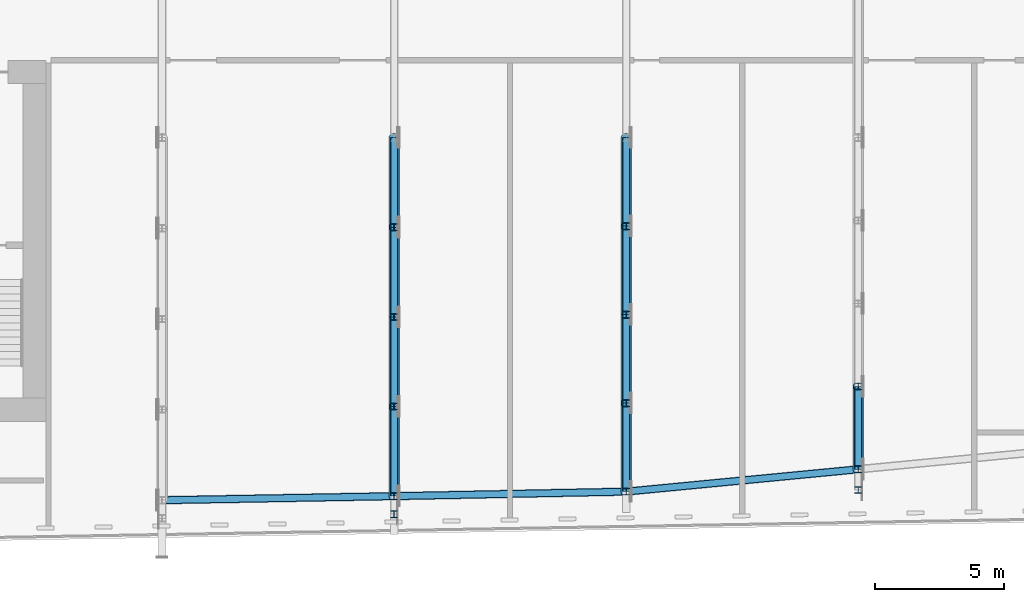
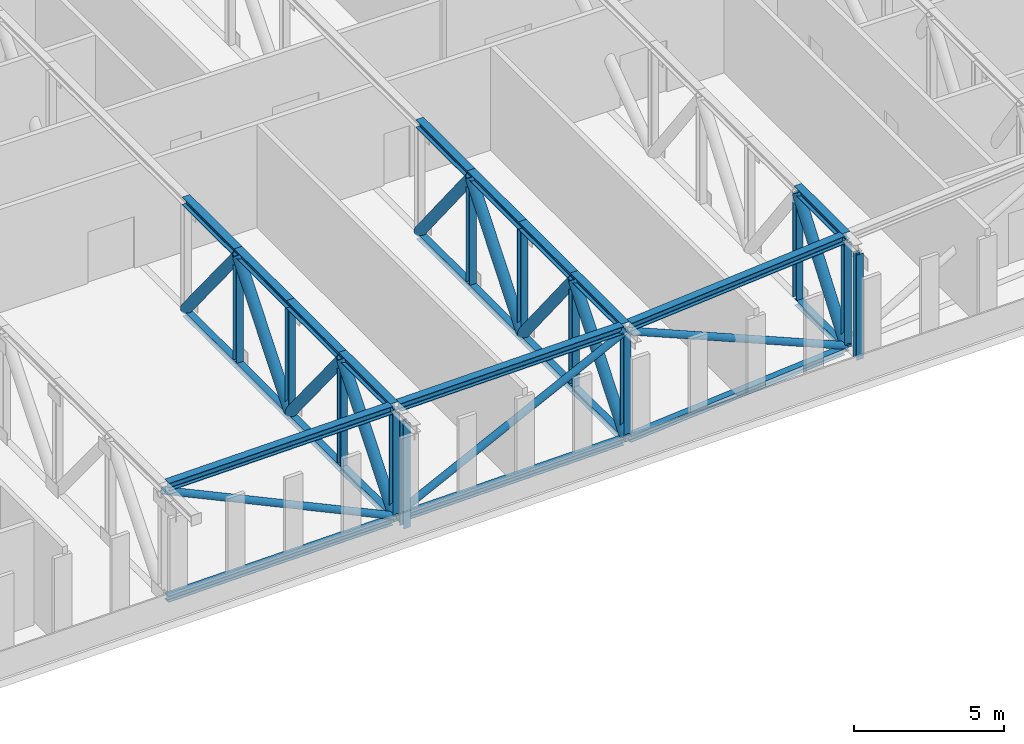
# One storey, part 3 of 26: 48 members.
"""IFC4 building model written with IfcOpenShell, lengths in metres."""

import ifcopenshell
import ifcopenshell.guid

model = None  # the IFC model being written
_history = None  # IfcOwnerHistory: only IFC2X3 demands one
_inside = {}  # id of a spatial element -> (the spatial element, [elements in it])
_under = {}  # id of a project, library or spatial element -> (it, [spatial elements below it])
_declared = {}  # id of a project -> (the project, [libraries it declares])
_typed = {}  # id of a type object -> (the type object, [elements of that type])
_made_of = {}  # id of a material, layer set ... -> (it, [elements and type objects made of it])


def new_model(schema):
    """Start an empty IFC model of exactly this schema.

    Asked for "IFC4X3", IfcOpenShell would pick the latest addendum, in which some entities
    have other attributes; the version numbers below select the first issue.
    IFC2X3 requires an IfcOwnerHistory on every rooted entity: one is made here for all.
    """
    global model, _history
    if schema == "IFC4X3":
        model = ifcopenshell.file(schema_version=(4, 3, 0, 0))
    else:
        model = ifcopenshell.file(schema=schema)
    _inside.clear()
    _under.clear()
    _declared.clear()
    _typed.clear()
    _made_of.clear()
    _history = None
    if model.schema == "IFC2X3":
        org = make("IfcOrganization", Name="unknown")
        user = make(
            "IfcPersonAndOrganization",
            ThePerson=make("IfcPerson", FamilyName="unknown"),
            TheOrganization=org,
        )
        app = make(
            "IfcApplication",
            ApplicationDeveloper=org,
            Version="unknown",
            ApplicationFullName="unknown",
            ApplicationIdentifier="unknown",
        )
        _history = make(
            "IfcOwnerHistory",
            OwningUser=user,
            OwningApplication=app,
            ChangeAction="ADDED",
            CreationDate=0,
        )
    return model


def make(cls, **values):
    """One entity of the class cls with the attributes given. An attribute that is None is left unset."""
    return model.create_entity(
        cls, **{name: value for name, value in values.items() if value is not None}
    )


def rooted(cls, **values):
    """An entity with a GlobalId (a new one), such as an element, a storey or a relation."""
    return make(cls, GlobalId=ifcopenshell.guid.new(), OwnerHistory=_history, **values)


def si_unit(unit_type, name, prefix=None):
    """IfcSIUnit, for example si_unit("LENGTHUNIT", "METRE", prefix="MILLI")."""
    return make("IfcSIUnit", UnitType=unit_type, Prefix=prefix, Name=name)


def assignment(units):
    """IfcUnitAssignment: the units of a project."""
    return None if units is None else make("IfcUnitAssignment", Units=units)


def point(xyz):
    """IfcCartesianPoint."""
    return None if xyz is None else make("IfcCartesianPoint", Coordinates=xyz)


def direction(xyz):
    """IfcDirection."""
    return None if xyz is None else make("IfcDirection", DirectionRatios=xyz)


def frame(location, z_axis=None, x_axis=None):
    """IfcAxis2Placement3D, a coordinate frame: its origin and axes. An axis left out is left unset."""
    return make(
        "IfcAxis2Placement3D",
        Location=point(location),
        Axis=direction(z_axis),
        RefDirection=direction(x_axis),
    )


def frame_2d(location, x_axis=None):
    """IfcAxis2Placement2D, a coordinate frame in the plane: its origin and x axis."""
    return make(
        "IfcAxis2Placement2D", Location=point(location), RefDirection=direction(x_axis)
    )


def origin():
    """The frame at (0, 0, 0) with its axes left unset."""
    return frame((0.0, 0.0, 0.0))


def origin_2d():
    """The frame at (0, 0) in the plane with its x axis left unset."""
    return frame_2d((0.0, 0.0))


def place(relative_to, where):
    """IfcLocalPlacement: puts the frame where relative to a parent placement (None: the world)."""
    return make(
        "IfcLocalPlacement", PlacementRelTo=relative_to, RelativePlacement=where
    )


def context(
    kind, dimensions, precision=None, world=None, true_north=None, identifier=None
):
    """IfcGeometricRepresentationContext, for example the 3D "Model" context."""
    return make(
        "IfcGeometricRepresentationContext",
        ContextIdentifier=identifier,
        ContextType=kind,
        CoordinateSpaceDimension=dimensions,
        Precision=precision,
        WorldCoordinateSystem=world,
        TrueNorth=true_north,
    )


def subcontext(parent, identifier, kind, view, scale=None):
    """IfcGeometricRepresentationSubContext, for example "Body" below "Model"."""
    return make(
        "IfcGeometricRepresentationSubContext",
        ContextIdentifier=identifier,
        ContextType=kind,
        ParentContext=parent,
        TargetScale=scale,
        TargetView=view,
    )


def project(units=None, contexts=None):
    """IfcProject with its units and contexts."""
    return rooted(
        "IfcProject",
        Name="project",
        RepresentationContexts=contexts,
        UnitsInContext=assignment(units),
    )


def spatial(cls, under=None, at=None, **own):
    """A site, building, storey or space (cls), placed at a placement, below another one or the project."""
    s = rooted(cls, ObjectPlacement=at, **own)
    if under is not None:
        _under.setdefault(under.id(), (under, []))[1].append(s)
    return s


def profile(cls, at=None, kind="AREA", **sizes):
    """A parametric profile (cls). Its sizes go by their IFC names, for example OverallWidth=200.0."""
    return make(cls, ProfileType=kind, Position=at, **sizes)


def hollow_circle(**sizes):
    """IfcCircleHollowProfileDef."""
    return profile("IfcCircleHollowProfileDef", **sizes)


def i_section(**sizes):
    """IfcIShapeProfileDef."""
    return profile("IfcIShapeProfileDef", **sizes)


def extrude(swept, where, along, depth):
    """IfcExtrudedAreaSolid: the profile swept, set in the frame where, extruded along a direction by depth."""
    return make(
        "IfcExtrudedAreaSolid",
        SweptArea=swept,
        Position=where,
        ExtrudedDirection=direction(along),
        Depth=depth,
    )


def shape(context_of_items, identifier, shape_type, items):
    """IfcShapeRepresentation: the items that make up one representation, for example the "Body"."""
    return make(
        "IfcShapeRepresentation",
        ContextOfItems=context_of_items,
        RepresentationIdentifier=identifier,
        RepresentationType=shape_type,
        Items=items,
    )


def material(Name=None, Category=None):
    """IfcMaterial."""
    return make("IfcMaterial", Name=Name, Category=Category)


def material_profile(
    of_material, cross_section, Name=None, Category=None, Priority=None
):
    """IfcMaterialProfile: a cross section and its material."""
    return make(
        "IfcMaterialProfile",
        Name=Name,
        Material=of_material,
        Profile=cross_section,
        Priority=Priority,
        Category=Category,
    )


def profile_set(profiles, Name=None, composite=None):
    """IfcMaterialProfileSet."""
    return make(
        "IfcMaterialProfileSet",
        Name=Name,
        MaterialProfiles=profiles,
        CompositeProfile=composite,
    )


def made_of(thing, what):
    """Note that an element or type object is made of a material, layer set ...; save() writes the relation."""
    if what is not None:
        _made_of.setdefault(what.id(), (what, []))[1].append(thing)
    return thing


def type_object(cls, material=None, **own):
    """A type object (cls), such as IfcWallType, which elements share."""
    return made_of(rooted(cls, **own), material)


def element(
    cls,
    number,
    at=None,
    inside=None,
    cuts=None,
    type_object=None,
    material=None,
    context=None,
    identifier="Body",
    shape_type=None,
    held_by="IfcProductDefinitionShape",
    body=None,
    shapes=None,
    **own,
):
    """One element of the class cls, such as IfcWall. Its Tag is "e" and its number.

    at: its placement. inside: the storey or other place that contains it. cuts: it is an
    opening in that element (IfcRelVoidsElement). A single representation is given by context,
    identifier, shape_type and body (its items); several are given by shapes. held_by: the class
    of the entity that holds the representations. save() writes the other relations.
    """
    e = rooted(cls, Tag="e%d" % number, ObjectPlacement=at, **own)
    if body is not None:
        shapes = [shape(context, identifier, shape_type, body)]
    if shapes is not None:
        e.Representation = make(held_by, Representations=shapes)
    if inside is not None:
        _inside.setdefault(inside.id(), (inside, []))[1].append(e)
    if cuts is not None:
        rooted(
            "IfcRelVoidsElement", RelatingBuildingElement=cuts, RelatedOpeningElement=e
        )
    if type_object is not None:
        _typed.setdefault(type_object.id(), (type_object, []))[1].append(e)
    return made_of(e, material)


def aggregate(whole, parts):
    """IfcRelAggregates: a whole, such as a stair, and the parts it consists of."""
    return rooted("IfcRelAggregates", RelatingObject=whole, RelatedObjects=parts)


def save(model, path):
    """Write the relations noted so far, then the file.

    IfcRelAggregates (storeys below a building ...), IfcRelContainedInSpatialStructure (elements
    in a storey), IfcRelDefinesByType, IfcRelAssociatesMaterial and IfcRelDeclares: one each for
    every whole, place, type object, material and project.
    """
    for whole, parts in _under.values():
        aggregate(whole, parts)
    for where, things in _inside.values():
        rooted(
            "IfcRelContainedInSpatialStructure",
            RelatedElements=things,
            RelatingStructure=where,
        )
    for kind, things in _typed.values():
        rooted("IfcRelDefinesByType", RelatedObjects=things, RelatingType=kind)
    for what, things in _made_of.values():
        rooted("IfcRelAssociatesMaterial", RelatedObjects=things, RelatingMaterial=what)
    for by, libraries in _declared.values():
        rooted("IfcRelDeclares", RelatingContext=by, RelatedDefinitions=libraries)
    model.write(path)


model = new_model("IFC4")

# Units and contexts
model_context = context("Model", 3, precision=1e-05, world=origin(), true_north=direction((0.0, 1.0)))
body_context = subcontext(model_context, "Body", "Model", "MODEL_VIEW")
ifc_project = project(units=[si_unit("LENGTHUNIT", "METRE"), si_unit("AREAUNIT", "SQUARE_METRE"), si_unit("VOLUMEUNIT", "CUBIC_METRE"), si_unit("PLANEANGLEUNIT", "RADIAN"), si_unit("MASSUNIT", "GRAM", prefix="KILO")], contexts=[model_context])

# Site, building, storey
site_placement = place(None, origin())
site = spatial("IfcSite", under=ifc_project, at=site_placement, CompositionType="ELEMENT")
building_placement = place(site_placement, origin())
building = spatial("IfcBuilding", under=site, at=building_placement, Name="Kajstack Hotel Tower", CompositionType="ELEMENT")
storey_placement = place(building_placement, frame((0.0, 0.0, 257.300048828125)))
storey = spatial("IfcBuildingStorey", under=building, at=storey_placement, Name="L64", CompositionType="ELEMENT", Elevation=257.300048828125)

# Members
ifc_material = material(Name="Steel S355J2", Category="steel")
ifc_material_profile_1 = material_profile(ifc_material, i_section(OverallWidth=0.260009765625, OverallDepth=0.260009765625, WebThickness=0.010009765625, FlangeThickness=0.017578125, FilletRadius=0.02392578125, at=origin_2d()), Name="HEB 260")
ifc_profile_set_1 = profile_set([ifc_material_profile_1], Name="Steel S355J2")
member_type_1 = type_object("IfcMemberType", Name="Belt truss bottom chord BB5 HEB 260", PredefinedType="CHORD", material=ifc_profile_set_1)
member_1_placement = place(storey_placement, frame((-8.8701171875, -18.560302734375, -0.130126953125), z_axis=(0.999847642189, 0.017455440681, 0.0), x_axis=(-0.017455440681, 0.999847642189, 0.0)))
element("IfcMember", 1, at=member_1_placement, inside=storey, type_object=member_type_1, Name="S-belt-truss-L64-s04-b", PredefinedType="CHORD", context=body_context, shape_type="SweptSolid", body=[
    extrude(i_section(OverallWidth=0.260009765625, OverallDepth=0.260009765625, WebThickness=0.010009765625, FlangeThickness=0.017578125, FilletRadius=0.02392578125, at=origin_2d()), origin(), (0.0, 0.0, 1.0), 8.741455078125),
])
member_2_placement = place(storey_placement, frame((0.1298828125, -18.40283203125, -0.130126953125), z_axis=(0.999808893472, 0.019549335906, 0.0), x_axis=(-0.019549335906, 0.999808893472, 0.0)))
element("IfcMember", 2, at=member_2_placement, inside=storey, type_object=member_type_1, Name="S-belt-truss-L64-s05-b", PredefinedType="CHORD", context=body_context, shape_type="SweptSolid", body=[
    extrude(i_section(OverallWidth=0.260009765625, OverallDepth=0.260009765625, WebThickness=0.010009765625, FlangeThickness=0.017578125, FilletRadius=0.02392578125, at=origin_2d()), origin(), (0.0, 0.0, 1.0), 8.741943359375),
])
member_3_placement = place(storey_placement, frame((9.12939453125, -18.216796875, -0.130126953125), z_axis=(0.995397612188, 0.095831068294, 0.0), x_axis=(-0.095831068294, 0.995397612188, 0.0)))
element("IfcMember", 3, at=member_3_placement, inside=storey, type_object=member_type_1, Name="S-belt-truss-L64-s06-b", PredefinedType="CHORD", context=body_context, shape_type="SweptSolid", body=[
    extrude(i_section(OverallWidth=0.260009765625, OverallDepth=0.260009765625, WebThickness=0.010009765625, FlangeThickness=0.017578125, FilletRadius=0.02392578125, at=origin_2d()), origin(), (0.0, 0.0, 1.0), 8.78173828125),
])
ifc_material_profile_2 = material_profile(ifc_material, i_section(OverallWidth=0.260009765625, OverallDepth=0.260009765625, WebThickness=0.010009765625, FlangeThickness=0.017578125, FilletRadius=0.02392578125, at=origin_2d()), Name="HEB 260")
ifc_profile_set_2 = profile_set([ifc_material_profile_2], Name="Steel S355J2")
member_type_2 = type_object("IfcMemberType", Name="Belt truss bottom chord BC5 HEB 260", PredefinedType="CHORD", material=ifc_profile_set_2)
member_4_placement = place(storey_placement, frame((0.0, -18.405517578125, -0.130126953125), z_axis=(0.0, 1.0, 0.0), x_axis=(-1.0, 0.0, 0.0)))
element("IfcMember", 4, at=member_4_placement, inside=storey, type_object=member_type_2, Name="S-belt-truss-L64-+0p0-1-bc14", PredefinedType="CHORD", context=body_context, shape_type="SweptSolid", body=[
    extrude(i_section(OverallWidth=0.260009765625, OverallDepth=0.260009765625, WebThickness=0.010009765625, FlangeThickness=0.017578125, FilletRadius=0.02392578125, at=origin_2d()), origin(), (0.0, 0.0, 1.0), 3.476318359375),
])
member_5_placement = place(storey_placement, frame((0.0, -14.92919921875, -0.130126953125), z_axis=(0.0, 1.0, 0.0), x_axis=(-1.0, 0.0, 0.0)))
element("IfcMember", 5, at=member_5_placement, inside=storey, type_object=member_type_2, Name="S-belt-truss-L64-+0p0-1-bc15", PredefinedType="CHORD", context=body_context, shape_type="SweptSolid", body=[
    extrude(i_section(OverallWidth=0.260009765625, OverallDepth=0.260009765625, WebThickness=0.010009765625, FlangeThickness=0.017578125, FilletRadius=0.02392578125, at=origin_2d()), origin(), (0.0, 0.0, 1.0), 3.4765625),
])
for number, where, z_axis, x_axis, name in (
    (6, (0.0, -11.45263671875, -0.130126953125), (0.0, 1.0, 0.0), (-1.0, 0.0, 0.0), "S-belt-truss-L64-+0p0-1-bc16"),
    (7, (0.0, -7.976318359375, -0.130126953125), (0.0, 1.0, 0.0), (-1.0, 0.0, 0.0), "S-belt-truss-L64-+0p0-1-bc17"),
):
    element("IfcMember", number, at=place(storey_placement, frame(where, z_axis=z_axis, x_axis=x_axis)), inside=storey, type_object=member_type_2, Name=name, PredefinedType="CHORD", context=body_context, shape_type="SweptSolid", body=[
        extrude(i_section(OverallWidth=0.260009765625, OverallDepth=0.260009765625, WebThickness=0.010009765625, FlangeThickness=0.017578125, FilletRadius=0.02392578125, at=origin_2d()), origin(), (0.0, 0.0, 1.0), 3.476318359375),
    ])
for number, where, z_axis, x_axis, name in (
    (8, (9.0, -18.2294921875, -0.130126953125), (0.0, 1.0, 0.0), (-1.0, 0.0, 0.0), "S-belt-truss-L64-+9p0-1-bc12"),
    (9, (9.0, -14.797119140625, -0.130126953125), (0.0, 1.0, 0.0), (-1.0, 0.0, 0.0), "S-belt-truss-L64-+9p0-1-bc13"),
    (10, (9.0, -11.36474609375, -0.130126953125), (0.0, 1.0, 0.0), (-1.0, 0.0, 0.0), "S-belt-truss-L64-+9p0-1-bc14"),
    (11, (9.0, -7.932373046875, -0.130126953125), (0.0, 1.0, 0.0), (-1.0, 0.0, 0.0), "S-belt-truss-L64-+9p0-1-bc15"),
):
    element("IfcMember", number, at=place(storey_placement, frame(where, z_axis=z_axis, x_axis=x_axis)), inside=storey, type_object=member_type_2, Name=name, PredefinedType="CHORD", context=body_context, shape_type="SweptSolid", body=[
        extrude(i_section(OverallWidth=0.260009765625, OverallDepth=0.260009765625, WebThickness=0.010009765625, FlangeThickness=0.017578125, FilletRadius=0.02392578125, at=origin_2d()), origin(), (0.0, 0.0, 1.0), 3.432373046875),
    ])
member_6_placement = place(storey_placement, frame((18.0, -17.36279296875, -0.130126953125), z_axis=(0.0, 1.0, 0.0), x_axis=(-1.0, 0.0, 0.0)))
element("IfcMember", 12, at=member_6_placement, inside=storey, type_object=member_type_2, Name="S-outrigger-truss-L64-+18p0-1-bc8", PredefinedType="CHORD", context=body_context, shape_type="SweptSolid", body=[
    extrude(i_section(OverallWidth=0.260009765625, OverallDepth=0.260009765625, WebThickness=0.010009765625, FlangeThickness=0.017578125, FilletRadius=0.02392578125, at=origin_2d()), origin(), (0.0, 0.0, 1.0), 3.2158203125),
])
ifc_material_profile_3 = material_profile(ifc_material, hollow_circle(Radius=0.136474609375, WallThickness=0.012451171875, at=origin_2d()), Name="CHS 273x12.5")
ifc_profile_set_3 = profile_set([ifc_material_profile_3], Name="Steel S355J2")
member_type_3 = type_object("IfcMemberType", Name="Belt truss diagonal BD5 CHS 273x12.5", PredefinedType="BRACE", material=ifc_profile_set_3)
member_7_placement = place(storey_placement, frame((0.0, -18.405517578125, 0.0), z_axis=(-0.902969811038, -0.015750043091, 0.429415249493), x_axis=(0.017439838569, -0.99984791445, 0.0)))
element("IfcMember", 13, at=member_7_placement, inside=storey, type_object=member_type_3, Name="S-belt-truss-L64-s04-d", PredefinedType="BRACE", context=body_context, shape_type="SweptSolid", body=[
    extrude(hollow_circle(Radius=0.136474609375, WallThickness=0.012451171875, at=origin_2d()), origin(), (0.0, 0.0, 1.0), 9.967041015625),
])
member_8_placement = place(storey_placement, frame((0.0, -18.405517578125, 0.0), z_axis=(0.902940992432, 0.0176600601, 0.429401544551), x_axis=(-0.019554636975, 0.999808789806, 0.0)))
element("IfcMember", 14, at=member_8_placement, inside=storey, type_object=member_type_3, Name="S-belt-truss-L64-s05-d", PredefinedType="BRACE", context=body_context, shape_type="SweptSolid", body=[
    extrude(hollow_circle(Radius=0.136474609375, WallThickness=0.012451171875, at=origin_2d()), origin(), (0.0, 0.0, 1.0), 9.967529296875),
])
member_9_placement = place(storey_placement, frame((18.0, -17.36279296875, 0.0), z_axis=(-0.899685981991, -0.086639681968, 0.427853595657), x_axis=(0.095856468129, -0.995395166513, 0.0)))
element("IfcMember", 15, at=member_9_placement, inside=storey, type_object=member_type_3, Name="S-belt-truss-L64-s06-d", PredefinedType="BRACE", context=body_context, shape_type="SweptSolid", body=[
    extrude(hollow_circle(Radius=0.136474609375, WallThickness=0.012451171875, at=origin_2d()), origin(), (0.0, 0.0, 1.0), 10.00341796875),
])
ifc_material_profile_4 = material_profile(ifc_material, hollow_circle(Radius=0.203125, WallThickness=0.01611328125, at=origin_2d()), Name="CHS 406.4x16")
ifc_profile_set_4 = profile_set([ifc_material_profile_4], Name="Steel S355J2")
member_type_4 = type_object("IfcMemberType", Name="Belt truss diagonal DG5 CHS 406.4x16", PredefinedType="BRACE", material=ifc_profile_set_4)
member_10_placement = place(storey_placement, frame((0.0, -18.405517578125, 0.0), z_axis=(0.0, 0.630460930858, 0.776220983136), x_axis=(-1.0, 0.0, 0.0)))
element("IfcMember", 16, at=member_10_placement, inside=storey, type_object=member_type_4, Name="S-belt-truss-L64-+0p0-1-dg36", PredefinedType="BRACE", context=body_context, shape_type="SweptSolid", body=[
    extrude(hollow_circle(Radius=0.203125, WallThickness=0.01611328125, at=origin_2d()), origin(), (0.0, 0.0, 1.0), 5.513916015625),
])
member_11_placement = place(storey_placement, frame((0.0, -11.45263671875, 0.0), z_axis=(0.0, -0.630487607507, 0.776199315112), x_axis=(1.0, 0.0, 0.0)))
element("IfcMember", 17, at=member_11_placement, inside=storey, type_object=member_type_4, Name="S-belt-truss-L64-+0p0-1-dg37", PredefinedType="BRACE", context=body_context, shape_type="SweptSolid", body=[
    extrude(hollow_circle(Radius=0.203125, WallThickness=0.01611328125, at=origin_2d()), origin(), (0.0, 0.0, 1.0), 5.51416015625),
])
for number, where, z_axis, x_axis, name in (
    (18, (0.0, -11.45263671875, 0.0), (0.0, 0.630460930858, 0.776220983136), (-1.0, 0.0, 0.0), "S-belt-truss-L64-+0p0-1-dg38"),
    (19, (0.0, -4.5, 0.0), (0.0, -0.630460930858, 0.776220983136), (1.0, 0.0, 0.0), "S-belt-truss-L64-+0p0-1-dg39"),
):
    element("IfcMember", number, at=place(storey_placement, frame(where, z_axis=z_axis, x_axis=x_axis)), inside=storey, type_object=member_type_4, Name=name, PredefinedType="BRACE", context=body_context, shape_type="SweptSolid", body=[
        extrude(hollow_circle(Radius=0.203125, WallThickness=0.01611328125, at=origin_2d()), origin(), (0.0, 0.0, 1.0), 5.513916015625),
    ])
for number, where, z_axis, x_axis, name in (
    (20, (9.0, -18.2294921875, 0.0), (0.0, 0.625622589917, 0.780125871245), (-1.0, 0.0, 0.0), "S-belt-truss-L64-+9p0-1-dg33"),
    (21, (9.0, -11.36474609375, 0.0), (0.0, -0.625622589917, 0.780125871245), (1.0, 0.0, 0.0), "S-belt-truss-L64-+9p0-1-dg34"),
    (22, (9.0, -11.36474609375, 0.0), (0.0, 0.625622589917, 0.780125871245), (-1.0, 0.0, 0.0), "S-belt-truss-L64-+9p0-1-dg35"),
    (23, (9.0, -4.5, 0.0), (0.0, -0.625622589917, 0.780125871245), (1.0, 0.0, 0.0), "S-belt-truss-L64-+9p0-1-dg36"),
):
    element("IfcMember", number, at=place(storey_placement, frame(where, z_axis=z_axis, x_axis=x_axis)), inside=storey, type_object=member_type_4, Name=name, PredefinedType="BRACE", context=body_context, shape_type="SweptSolid", body=[
        extrude(hollow_circle(Radius=0.203125, WallThickness=0.01611328125, at=origin_2d()), origin(), (0.0, 0.0, 1.0), 5.486328125),
    ])
member_12_placement = place(storey_placement, frame((18.0, -17.36279296875, 0.0), z_axis=(0.0, 0.60069295218, 0.799479816631), x_axis=(-1.0, 0.0, 0.0)))
element("IfcMember", 24, at=member_12_placement, inside=storey, type_object=member_type_4, Name="S-outrigger-truss-L64-+18p0-1-dg19", PredefinedType="BRACE", context=body_context, shape_type="SweptSolid", body=[
    extrude(hollow_circle(Radius=0.203125, WallThickness=0.01611328125, at=origin_2d()), origin(), (0.0, 0.0, 1.0), 5.353515625),
])
ifc_material_profile_5 = material_profile(ifc_material, i_section(OverallWidth=0.260009765625, OverallDepth=0.260009765625, WebThickness=0.010009765625, FlangeThickness=0.017578125, FilletRadius=0.02392578125, at=origin_2d()), Name="HEB 260")
ifc_profile_set_5 = profile_set([ifc_material_profile_5], Name="Steel S355J2")
member_type_5 = type_object("IfcMemberType", Name="Belt truss post PO5 HEB 260", PredefinedType="POST", material=ifc_profile_set_5)
for number, where, z_axis, x_axis, name in (
    (25, (0.0, -19.10546875, 0.0), (0.0, 0.0, 1.0), (1.0, 0.0, 0.0), "S-belt-truss-L64-+0p0-1-po24"),
    (26, (0.0, -18.405517578125, 0.0), (0.0, 0.0, 1.0), (1.0, 0.0, 0.0), "S-belt-truss-L64-+0p0-1-po25"),
    (27, (0.0, -14.92919921875, 0.0), (0.0, 0.0, 1.0), (1.0, 0.0, 0.0), "S-belt-truss-L64-+0p0-1-po26"),
    (28, (0.0, -11.45263671875, 0.0), (0.0, 0.0, 1.0), (1.0, 0.0, 0.0), "S-belt-truss-L64-+0p0-1-po27"),
    (29, (0.0, -7.976318359375, 0.0), (0.0, 0.0, 1.0), (1.0, 0.0, 0.0), "S-belt-truss-L64-+0p0-1-po28"),
    (30, (9.0, -18.2294921875, 0.0), (0.0, 0.0, 1.0), (1.0, 0.0, 0.0), "S-belt-truss-L64-+9p0-1-po22"),
    (31, (9.0, -14.797119140625, 0.0), (0.0, 0.0, 1.0), (1.0, 0.0, 0.0), "S-belt-truss-L64-+9p0-1-po23"),
    (32, (9.0, -11.36474609375, 0.0), (0.0, 0.0, 1.0), (1.0, 0.0, 0.0), "S-belt-truss-L64-+9p0-1-po24"),
    (33, (9.0, -7.932373046875, 0.0), (0.0, 0.0, 1.0), (1.0, 0.0, 0.0), "S-belt-truss-L64-+9p0-1-po25"),
    (34, (18.0, -18.16259765625, 0.0), (0.0, 0.0, 1.0), (1.0, 0.0, 0.0), "S-outrigger-truss-L64-+18p0-1-po13"),
    (35, (18.0, -17.36279296875, 0.0), (0.0, 0.0, 1.0), (1.0, 0.0, 0.0), "S-outrigger-truss-L64-+18p0-1-po14"),
    (36, (18.0, -14.14697265625, 0.0), (0.0, 0.0, 1.0), (1.0, 0.0, 0.0), "S-outrigger-truss-L64-+18p0-1-po15"),
):
    element("IfcMember", number, at=place(storey_placement, frame(where, z_axis=z_axis, x_axis=x_axis)), inside=storey, type_object=member_type_5, Name=name, PredefinedType="POST", context=body_context, shape_type="SweptSolid", body=[
        extrude(i_section(OverallWidth=0.260009765625, OverallDepth=0.260009765625, WebThickness=0.010009765625, FlangeThickness=0.017578125, FilletRadius=0.02392578125, at=origin_2d()), origin(), (0.0, 0.0, 1.0), 4.280029296875),
    ])
ifc_material_profile_6 = material_profile(ifc_material, i_section(OverallWidth=0.300048828125, OverallDepth=0.320068359375, WebThickness=0.011474609375, FlangeThickness=0.0205078125, FilletRadius=0.027099609375, at=origin_2d()), Name="HEB 320")
ifc_profile_set_6 = profile_set([ifc_material_profile_6], Name="Steel S355J2")
member_type_6 = type_object("IfcMemberType", Name="Belt truss top chord BT5 HEB 320", PredefinedType="CHORD", material=ifc_profile_set_6)
member_13_placement = place(storey_placement, frame((-8.85009765625, -18.559814453125, 4.43994140625), z_axis=(0.999847709204, 0.017451601614, 0.0), x_axis=(-0.017451601614, 0.999847709204, 0.0)))
element("IfcMember", 37, at=member_13_placement, inside=storey, type_object=member_type_6, Name="S-belt-truss-L64-s04-t", PredefinedType="CHORD", context=body_context, shape_type="SweptSolid", body=[
    extrude(i_section(OverallWidth=0.300048828125, OverallDepth=0.320068359375, WebThickness=0.011474609375, FlangeThickness=0.0205078125, FilletRadius=0.027099609375, at=origin_2d()), origin(), (0.0, 0.0, 1.0), 8.701416015625),
])
member_14_placement = place(storey_placement, frame((0.14990234375, -18.402587890625, 4.43994140625), z_axis=(0.999808780104, 0.019555133004, 0.0), x_axis=(-0.019555133004, 0.999808780104, 0.0)))
element("IfcMember", 38, at=member_14_placement, inside=storey, type_object=member_type_6, Name="S-belt-truss-L64-s05-t", PredefinedType="CHORD", context=body_context, shape_type="SweptSolid", body=[
    extrude(i_section(OverallWidth=0.300048828125, OverallDepth=0.320068359375, WebThickness=0.011474609375, FlangeThickness=0.0205078125, FilletRadius=0.027099609375, at=origin_2d()), origin(), (0.0, 0.0, 1.0), 8.701904296875),
])
member_15_placement = place(storey_placement, frame((9.1494140625, -18.215087890625, 4.43994140625), z_axis=(0.995395510024, 0.095852900965, 0.0), x_axis=(-0.095852900965, 0.995395510024, 0.0)))
element("IfcMember", 39, at=member_15_placement, inside=storey, type_object=member_type_6, Name="S-belt-truss-L64-s06-t", PredefinedType="CHORD", context=body_context, shape_type="SweptSolid", body=[
    extrude(i_section(OverallWidth=0.300048828125, OverallDepth=0.320068359375, WebThickness=0.011474609375, FlangeThickness=0.0205078125, FilletRadius=0.027099609375, at=origin_2d()), origin(), (0.0, 0.0, 1.0), 8.741455078125),
])
ifc_material_profile_7 = material_profile(ifc_material, i_section(OverallWidth=0.300048828125, OverallDepth=0.320068359375, WebThickness=0.011474609375, FlangeThickness=0.0205078125, FilletRadius=0.027099609375, at=origin_2d()), Name="HEB 320")
ifc_profile_set_7 = profile_set([ifc_material_profile_7], Name="Steel S355J2")
member_type_7 = type_object("IfcMemberType", Name="Belt truss top chord TC5 HEB 320", PredefinedType="CHORD", material=ifc_profile_set_7)
member_16_placement = place(storey_placement, frame((0.0, -18.405517578125, 4.43994140625), z_axis=(0.0, 1.0, 0.0), x_axis=(-1.0, 0.0, 0.0)))
element("IfcMember", 40, at=member_16_placement, inside=storey, type_object=member_type_7, Name="S-belt-truss-L64-+0p0-1-tc3", PredefinedType="CHORD", context=body_context, shape_type="SweptSolid", body=[
    extrude(i_section(OverallWidth=0.300048828125, OverallDepth=0.320068359375, WebThickness=0.011474609375, FlangeThickness=0.0205078125, FilletRadius=0.027099609375, at=origin_2d()), origin(), (0.0, 0.0, 1.0), 3.476318359375),
])
member_17_placement = place(storey_placement, frame((0.0, -14.92919921875, 4.43994140625), z_axis=(0.0, 1.0, 0.0), x_axis=(-1.0, 0.0, 0.0)))
element("IfcMember", 41, at=member_17_placement, inside=storey, type_object=member_type_7, Name="S-belt-truss-L64-+0p0-1-tc4", PredefinedType="CHORD", context=body_context, shape_type="SweptSolid", body=[
    extrude(i_section(OverallWidth=0.300048828125, OverallDepth=0.320068359375, WebThickness=0.011474609375, FlangeThickness=0.0205078125, FilletRadius=0.027099609375, at=origin_2d()), origin(), (0.0, 0.0, 1.0), 3.4765625),
])
for number, where, z_axis, x_axis, name in (
    (42, (0.0, -11.45263671875, 4.43994140625), (0.0, 1.0, 0.0), (-1.0, 0.0, 0.0), "S-belt-truss-L64-+0p0-1-tc5"),
    (43, (0.0, -7.976318359375, 4.43994140625), (0.0, 1.0, 0.0), (-1.0, 0.0, 0.0), "S-belt-truss-L64-+0p0-1-tc6"),
):
    element("IfcMember", number, at=place(storey_placement, frame(where, z_axis=z_axis, x_axis=x_axis)), inside=storey, type_object=member_type_7, Name=name, PredefinedType="CHORD", context=body_context, shape_type="SweptSolid", body=[
        extrude(i_section(OverallWidth=0.300048828125, OverallDepth=0.320068359375, WebThickness=0.011474609375, FlangeThickness=0.0205078125, FilletRadius=0.027099609375, at=origin_2d()), origin(), (0.0, 0.0, 1.0), 3.476318359375),
    ])
for number, where, z_axis, x_axis, name in (
    (44, (9.0, -18.2294921875, 4.43994140625), (0.0, 1.0, 0.0), (-1.0, 0.0, 0.0), "S-belt-truss-L64-+9p0-1-tc2"),
    (45, (9.0, -14.797119140625, 4.43994140625), (0.0, 1.0, 0.0), (-1.0, 0.0, 0.0), "S-belt-truss-L64-+9p0-1-tc3"),
    (46, (9.0, -11.36474609375, 4.43994140625), (0.0, 1.0, 0.0), (-1.0, 0.0, 0.0), "S-belt-truss-L64-+9p0-1-tc4"),
    (47, (9.0, -7.932373046875, 4.43994140625), (0.0, 1.0, 0.0), (-1.0, 0.0, 0.0), "S-belt-truss-L64-+9p0-1-tc5"),
):
    element("IfcMember", number, at=place(storey_placement, frame(where, z_axis=z_axis, x_axis=x_axis)), inside=storey, type_object=member_type_7, Name=name, PredefinedType="CHORD", context=body_context, shape_type="SweptSolid", body=[
        extrude(i_section(OverallWidth=0.300048828125, OverallDepth=0.320068359375, WebThickness=0.011474609375, FlangeThickness=0.0205078125, FilletRadius=0.027099609375, at=origin_2d()), origin(), (0.0, 0.0, 1.0), 3.432373046875),
    ])
member_18_placement = place(storey_placement, frame((18.0, -17.36279296875, 4.43994140625), z_axis=(0.0, 1.0, 0.0), x_axis=(-1.0, 0.0, 0.0)))
element("IfcMember", 48, at=member_18_placement, inside=storey, type_object=member_type_7, Name="S-outrigger-truss-L64-+18p0-1-tc2", PredefinedType="CHORD", context=body_context, shape_type="SweptSolid", body=[
    extrude(i_section(OverallWidth=0.300048828125, OverallDepth=0.320068359375, WebThickness=0.011474609375, FlangeThickness=0.0205078125, FilletRadius=0.027099609375, at=origin_2d()), origin(), (0.0, 0.0, 1.0), 3.2158203125),
])

save(model, "model.ifc")
